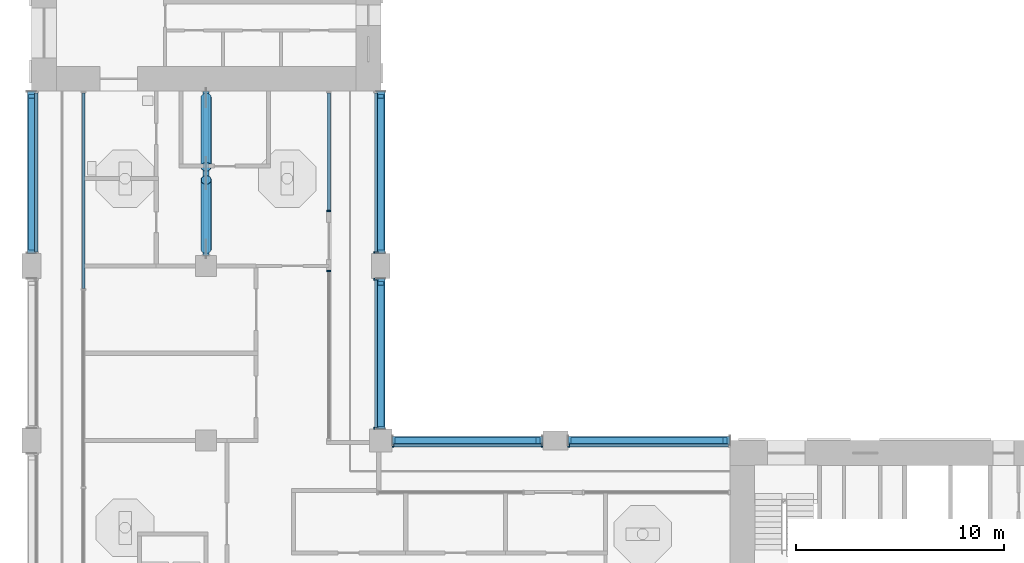
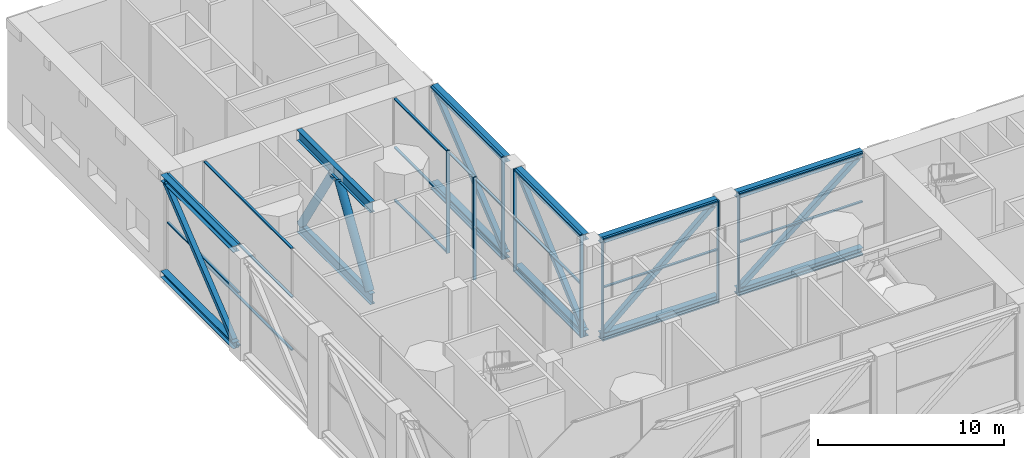
# One storey, part 3 of 20: 48 members, 8 elements without a shape of their own.
"""IFC4 building model written with IfcOpenShell, lengths in metres."""

from ifc_helpers import new_model, si_unit, direction, frame, origin, origin_2d, place, context, subcontext, project, spatial, rectangle, hollow_rectangle, hollow_circle, i_section, extrude, material, material_profile, profile_set, type_object, element, aggregate, save


model = new_model("IFC4")

# Units and contexts
model_context = context("Model", 3, precision=1e-05, world=origin(), true_north=direction((0.0, 1.0)))
body_context = subcontext(model_context, "Body", "Model", "MODEL_VIEW")
ifc_project = project(units=[si_unit("LENGTHUNIT", "METRE"), si_unit("AREAUNIT", "SQUARE_METRE"), si_unit("VOLUMEUNIT", "CUBIC_METRE"), si_unit("PLANEANGLEUNIT", "RADIAN"), si_unit("MASSUNIT", "GRAM", prefix="KILO")], contexts=[model_context])

# Site, building, storey
site_placement = place(None, origin())
site = spatial("IfcSite", under=ifc_project, at=site_placement, CompositionType="ELEMENT")
building_placement = place(site_placement, origin())
building = spatial("IfcBuilding", under=site, at=building_placement, Name="Vermilion Gate Residences", CompositionType="ELEMENT")
storey_placement = place(building_placement, frame((0.0, 0.0, 207.199951171875)))
storey = spatial("IfcBuildingStorey", under=building, at=storey_placement, Name="L54", CompositionType="ELEMENT", Elevation=207.199951171875)

# Curtain wall, member
ifc_material_1 = material(Name="Aluminium and glass", Category="aluminium")
curtain_wall_type = type_object("IfcCurtainWallType", Name="SKY GARDEN GLAZING CURTAIN WALL", PredefinedType="NOTDEFINED", material=ifc_material_1)
curtain_wall_1_placement = place(storey_placement, origin())
curtain_wall_1 = element("IfcCurtainWall", 1, at=curtain_wall_1_placement, inside=storey, type_object=curtain_wall_type, Name="Sky Garden Glazing 70", PredefinedType="NOTDEFINED")
ifc_material_2 = material(Name="Aluminium", Category="aluminium")
ifc_material_profile_1 = material_profile(ifc_material_2, rectangle(XDim=0.199951171875, YDim=0.080078125, at=origin_2d()), Name="MULLION 80 X 200")
ifc_profile_set_1 = profile_set([ifc_material_profile_1], Name="Aluminium")
member_type_1 = type_object("IfcMemberType", Name="SKY GARDEN GLAZING MULLION 80 X 200", PredefinedType="MULLION", material=ifc_profile_set_1)
member_1_placement = place(storey_placement, frame((22.699951171875, 33.360107421875, 0.0), z_axis=(0.0, 0.0, 1.0), x_axis=(-1.0, 0.0, 0.0)))
member_1 = element("IfcMember", 2, at=member_1_placement, type_object=member_type_1, Name="ECW3 mullion 2", PredefinedType="MULLION", context=body_context, shape_type="SweptSolid", body=[
    extrude(rectangle(XDim=0.199951171875, YDim=0.080078125, at=origin_2d()), origin(), (0.0, 0.0, 1.0), 6.719970703125),
])
aggregate(curtain_wall_1, [member_1])

curtain_wall_2_placement = place(storey_placement, origin())
curtain_wall_2 = element("IfcCurtainWall", 3, at=curtain_wall_2_placement, inside=storey, type_object=curtain_wall_type, Name="Sky Garden Glazing 72", PredefinedType="NOTDEFINED")
member_2_placement = place(storey_placement, frame((22.699951171875, 36.239990234375, 0.0), z_axis=(0.0, 0.0, 1.0), x_axis=(-1.0, 0.0, 0.0)))
member_2 = element("IfcMember", 4, at=member_2_placement, type_object=member_type_1, Name="ECW3 mullion 1", PredefinedType="MULLION", context=body_context, shape_type="SweptSolid", body=[
    extrude(rectangle(XDim=0.199951171875, YDim=0.080078125, at=origin_2d()), origin(), (0.0, 0.0, 1.0), 6.719970703125),
])

curtain_wall_3_placement = place(storey_placement, origin())
curtain_wall_3 = element("IfcCurtainWall", 5, at=curtain_wall_3_placement, inside=storey, type_object=curtain_wall_type, Name="Sky Garden Glazing 508", PredefinedType="NOTDEFINED")
member_3_placement = place(storey_placement, frame((34.239990234375, 24.969970703125, 0.0), z_axis=(0.0, 0.0, 1.0), x_axis=(0.0, -1.0, 0.0)))
member_3 = element("IfcMember", 6, at=member_3_placement, type_object=member_type_1, Name="ECW3 mullion 2", PredefinedType="MULLION", context=body_context, shape_type="SweptSolid", body=[
    extrude(rectangle(XDim=0.199951171875, YDim=0.080078125, at=origin_2d()), origin(), (0.0, 0.0, 1.0), 6.719970703125),
])

# Curtain wall, members
curtain_wall_4_placement = place(storey_placement, origin())
curtain_wall_4 = element("IfcCurtainWall", 7, at=curtain_wall_4_placement, inside=storey, type_object=curtain_wall_type, Name="Sky Garden Glazing 509", PredefinedType="NOTDEFINED")
member_4_placement = place(storey_placement, frame((32.9599609375, 24.969970703125, 0.0), z_axis=(0.0, 0.0, 1.0), x_axis=(0.0, -1.0, 0.0)))
member_4 = element("IfcMember", 8, at=member_4_placement, type_object=member_type_1, Name="ECW3 mullion 1", PredefinedType="MULLION", context=body_context, shape_type="SweptSolid", body=[
    extrude(rectangle(XDim=0.199951171875, YDim=0.080078125, at=origin_2d()), origin(), (0.0, 0.0, 1.0), 6.719970703125),
])
member_5_placement = place(storey_placement, frame((25.7900390625, 24.969970703125, 0.0), z_axis=(0.0, 0.0, 1.0), x_axis=(0.0, -1.0, 0.0)))
member_5 = element("IfcMember", 9, at=member_5_placement, type_object=member_type_1, Name="ECW3 mullion 2", PredefinedType="MULLION", context=body_context, shape_type="SweptSolid", body=[
    extrude(rectangle(XDim=0.199951171875, YDim=0.080078125, at=origin_2d()), origin(), (0.0, 0.0, 1.0), 6.719970703125),
])

curtain_wall_5_placement = place(storey_placement, origin())
curtain_wall_5 = element("IfcCurtainWall", 10, at=curtain_wall_5_placement, inside=storey, type_object=curtain_wall_type, Name="Sky Garden Glazing 510", PredefinedType="NOTDEFINED")
member_6_placement = place(storey_placement, frame((24.969970703125, 25.7900390625, 0.0), z_axis=(0.0, 0.0, 1.0), x_axis=(-1.0, 0.0, 0.0)))
member_6 = element("IfcMember", 11, at=member_6_placement, type_object=member_type_1, Name="ECW3 mullion 1", PredefinedType="MULLION", context=body_context, shape_type="SweptSolid", body=[
    extrude(rectangle(XDim=0.199951171875, YDim=0.080078125, at=origin_2d()), origin(), (0.0, 0.0, 1.0), 6.719970703125),
])
member_7_placement = place(storey_placement, frame((24.969970703125, 32.9599609375, 0.0), z_axis=(0.0, 0.0, 1.0), x_axis=(-1.0, 0.0, 0.0)))
member_7 = element("IfcMember", 12, at=member_7_placement, type_object=member_type_1, Name="ECW3 mullion 2", PredefinedType="MULLION", context=body_context, shape_type="SweptSolid", body=[
    extrude(rectangle(XDim=0.199951171875, YDim=0.080078125, at=origin_2d()), origin(), (0.0, 0.0, 1.0), 6.719970703125),
])

# Curtain wall, member
curtain_wall_6_placement = place(storey_placement, origin())
curtain_wall_6 = element("IfcCurtainWall", 13, at=curtain_wall_6_placement, inside=storey, type_object=curtain_wall_type, Name="Sky Garden Glazing 511", PredefinedType="NOTDEFINED")
member_8_placement = place(storey_placement, frame((24.969970703125, 34.239990234375, 0.0), z_axis=(0.0, 0.0, 1.0), x_axis=(-1.0, 0.0, 0.0)))
member_8 = element("IfcMember", 14, at=member_8_placement, type_object=member_type_1, Name="ECW3 mullion 1", PredefinedType="MULLION", context=body_context, shape_type="SweptSolid", body=[
    extrude(rectangle(XDim=0.199951171875, YDim=0.080078125, at=origin_2d()), origin(), (0.0, 0.0, 1.0), 6.719970703125),
])

# Curtain wall, members
curtain_wall_7_placement = place(storey_placement, origin())
curtain_wall_7 = element("IfcCurtainWall", 15, at=curtain_wall_7_placement, inside=storey, type_object=curtain_wall_type, Name="Sky Garden Glazing 0", PredefinedType="NOTDEFINED")
ifc_material_3 = material(Name="Aluminium", Category="aluminium")
ifc_material_profile_2 = material_profile(ifc_material_3, rectangle(XDim=0.14990234375, YDim=0.080078125, at=origin_2d()), Name="TRANSOM 80 X 150")
ifc_profile_set_2 = profile_set([ifc_material_profile_2], Name="Aluminium")
member_type_2 = type_object("IfcMemberType", Name="SKY GARDEN GLAZING TRANSOM 80 X 150", PredefinedType="MULLION", material=ifc_profile_set_2)
member_9_placement = place(storey_placement, frame((10.89990234375, 41.919921875, 0.0400390625), z_axis=(0.0, -1.0, 0.0), x_axis=(1.0, 0.0, 0.0)))
member_9 = element("IfcMember", 16, at=member_9_placement, type_object=member_type_2, Name="ECW3 transom 1.1", PredefinedType="MULLION", context=body_context, shape_type="SweptSolid", body=[
    extrude(rectangle(XDim=0.14990234375, YDim=0.080078125, at=origin_2d()), origin(), (0.0, 0.0, 1.0), 9.413330078125),
])
member_10_placement = place(storey_placement, frame((10.89990234375, 41.919921875, 3.5), z_axis=(0.0, -1.0, 0.0), x_axis=(1.0, 0.0, 0.0)))
member_10 = element("IfcMember", 17, at=member_10_placement, type_object=member_type_2, Name="ECW3 transom 1.2", PredefinedType="MULLION", context=body_context, shape_type="SweptSolid", body=[
    extrude(rectangle(XDim=0.14990234375, YDim=0.080078125, at=origin_2d()), origin(), (0.0, 0.0, 1.0), 9.413330078125),
])
member_11_placement = place(storey_placement, frame((10.89990234375, 41.919921875, 6.679931640625), z_axis=(0.0, -1.0, 0.0), x_axis=(1.0, 0.0, 0.0)))
member_11 = element("IfcMember", 18, at=member_11_placement, type_object=member_type_2, Name="ECW3 transom 1.3", PredefinedType="MULLION", context=body_context, shape_type="SweptSolid", body=[
    extrude(rectangle(XDim=0.14990234375, YDim=0.080078125, at=origin_2d()), origin(), (0.0, 0.0, 1.0), 9.413330078125),
])
aggregate(curtain_wall_7, [member_9, member_10, member_11])

# Member
member_12_placement = place(storey_placement, frame((22.699951171875, 36.280029296875, 0.0400390625), z_axis=(0.0, 1.0, 0.0), x_axis=(-1.0, 0.0, 0.0)))
member_12 = element("IfcMember", 19, at=member_12_placement, type_object=member_type_2, Name="ECW3 transom 1.1", PredefinedType="MULLION", context=body_context, shape_type="SweptSolid", body=[
    extrude(rectangle(XDim=0.14990234375, YDim=0.080078125, at=origin_2d()), origin(), (0.0, 0.0, 1.0), 5.639892578125),
])

member_13_placement = place(storey_placement, frame((22.699951171875, 36.280029296875, 3.5), z_axis=(0.0, 1.0, 0.0), x_axis=(-1.0, 0.0, 0.0)))
member_13 = element("IfcMember", 20, at=member_13_placement, type_object=member_type_2, Name="ECW3 transom 1.2", PredefinedType="MULLION", context=body_context, shape_type="SweptSolid", body=[
    extrude(rectangle(XDim=0.14990234375, YDim=0.080078125, at=origin_2d()), origin(), (0.0, 0.0, 1.0), 5.639892578125),
])

member_14_placement = place(storey_placement, frame((22.699951171875, 36.280029296875, 6.679931640625), z_axis=(0.0, 1.0, 0.0), x_axis=(-1.0, 0.0, 0.0)))
member_14 = element("IfcMember", 21, at=member_14_placement, type_object=member_type_2, Name="ECW3 transom 1.3", PredefinedType="MULLION", context=body_context, shape_type="SweptSolid", body=[
    extrude(rectangle(XDim=0.14990234375, YDim=0.080078125, at=origin_2d()), origin(), (0.0, 0.0, 1.0), 5.639892578125),
])

aggregate(curtain_wall_2, [member_2, member_12, member_13, member_14])

# Curtain wall, members
curtain_wall_8_placement = place(storey_placement, origin())
curtain_wall_8 = element("IfcCurtainWall", 22, at=curtain_wall_8_placement, inside=storey, type_object=curtain_wall_type, Name="Sky Garden Glazing 500", PredefinedType="NOTDEFINED")
member_15_placement = place(storey_placement, frame((8.6298828125, 41.919921875, 0.0400390625), z_axis=(0.0, -1.0, 0.0), x_axis=(1.0, 0.0, 0.0)))
member_15 = element("IfcMember", 23, at=member_15_placement, type_object=member_type_2, Name="ECW3 transom 1.1", PredefinedType="MULLION", context=body_context, shape_type="SweptSolid", body=[
    extrude(rectangle(XDim=0.14990234375, YDim=0.080078125, at=origin_2d()), origin(), (0.0, 0.0, 1.0), 7.639892578125),
])
member_16_placement = place(storey_placement, frame((8.6298828125, 41.919921875, 3.5), z_axis=(0.0, -1.0, 0.0), x_axis=(1.0, 0.0, 0.0)))
member_16 = element("IfcMember", 24, at=member_16_placement, type_object=member_type_2, Name="ECW3 transom 1.2", PredefinedType="MULLION", context=body_context, shape_type="SweptSolid", body=[
    extrude(rectangle(XDim=0.14990234375, YDim=0.080078125, at=origin_2d()), origin(), (0.0, 0.0, 1.0), 7.639892578125),
])
member_17_placement = place(storey_placement, frame((8.6298828125, 41.919921875, 6.679931640625), z_axis=(0.0, -1.0, 0.0), x_axis=(1.0, 0.0, 0.0)))
member_17 = element("IfcMember", 25, at=member_17_placement, type_object=member_type_2, Name="ECW3 transom 1.3", PredefinedType="MULLION", context=body_context, shape_type="SweptSolid", body=[
    extrude(rectangle(XDim=0.14990234375, YDim=0.080078125, at=origin_2d()), origin(), (0.0, 0.0, 1.0), 7.639892578125),
])
aggregate(curtain_wall_8, [member_15, member_16, member_17])

# Member
member_18_placement = place(storey_placement, frame((41.919921875, 24.969970703125, 0.0400390625), z_axis=(-1.0, 0.0, 0.0), x_axis=(0.0, -1.0, 0.0)))
member_18 = element("IfcMember", 26, at=member_18_placement, type_object=member_type_2, Name="ECW3 transom 1.1", PredefinedType="MULLION", context=body_context, shape_type="SweptSolid", body=[
    extrude(rectangle(XDim=0.14990234375, YDim=0.080078125, at=origin_2d()), origin(), (0.0, 0.0, 1.0), 7.639892578125),
])

member_19_placement = place(storey_placement, frame((41.919921875, 24.969970703125, 3.5), z_axis=(-1.0, 0.0, 0.0), x_axis=(0.0, -1.0, 0.0)))
member_19 = element("IfcMember", 27, at=member_19_placement, type_object=member_type_2, Name="ECW3 transom 1.2", PredefinedType="MULLION", context=body_context, shape_type="SweptSolid", body=[
    extrude(rectangle(XDim=0.14990234375, YDim=0.080078125, at=origin_2d()), origin(), (0.0, 0.0, 1.0), 7.639892578125),
])

member_20_placement = place(storey_placement, frame((41.919921875, 24.969970703125, 6.679931640625), z_axis=(-1.0, 0.0, 0.0), x_axis=(0.0, -1.0, 0.0)))
member_20 = element("IfcMember", 28, at=member_20_placement, type_object=member_type_2, Name="ECW3 transom 1.3", PredefinedType="MULLION", context=body_context, shape_type="SweptSolid", body=[
    extrude(rectangle(XDim=0.14990234375, YDim=0.080078125, at=origin_2d()), origin(), (0.0, 0.0, 1.0), 7.639892578125),
])

aggregate(curtain_wall_3, [member_3, member_18, member_19, member_20])

member_21_placement = place(storey_placement, frame((32.919921875, 24.969970703125, 0.0400390625), z_axis=(-1.0, 0.0, 0.0), x_axis=(0.0, -1.0, 0.0)))
member_21 = element("IfcMember", 29, at=member_21_placement, type_object=member_type_2, Name="ECW3 transom 1.1", PredefinedType="MULLION", context=body_context, shape_type="SweptSolid", body=[
    extrude(rectangle(XDim=0.14990234375, YDim=0.080078125, at=origin_2d()), origin(), (0.0, 0.0, 1.0), 7.08984375),
])

member_22_placement = place(storey_placement, frame((32.919921875, 24.969970703125, 3.5), z_axis=(-1.0, 0.0, 0.0), x_axis=(0.0, -1.0, 0.0)))
member_22 = element("IfcMember", 30, at=member_22_placement, type_object=member_type_2, Name="ECW3 transom 1.2", PredefinedType="MULLION", context=body_context, shape_type="SweptSolid", body=[
    extrude(rectangle(XDim=0.14990234375, YDim=0.080078125, at=origin_2d()), origin(), (0.0, 0.0, 1.0), 7.08984375),
])

member_23_placement = place(storey_placement, frame((32.919921875, 24.969970703125, 6.679931640625), z_axis=(-1.0, 0.0, 0.0), x_axis=(0.0, -1.0, 0.0)))
member_23 = element("IfcMember", 31, at=member_23_placement, type_object=member_type_2, Name="ECW3 transom 1.3", PredefinedType="MULLION", context=body_context, shape_type="SweptSolid", body=[
    extrude(rectangle(XDim=0.14990234375, YDim=0.080078125, at=origin_2d()), origin(), (0.0, 0.0, 1.0), 7.08984375),
])

aggregate(curtain_wall_4, [member_4, member_5, member_21, member_22, member_23])

member_24_placement = place(storey_placement, frame((24.969970703125, 25.830078125, 0.0400390625), z_axis=(0.0, 1.0, 0.0), x_axis=(-1.0, 0.0, 0.0)))
member_24 = element("IfcMember", 32, at=member_24_placement, type_object=member_type_2, Name="ECW3 transom 1.1", PredefinedType="MULLION", context=body_context, shape_type="SweptSolid", body=[
    extrude(rectangle(XDim=0.14990234375, YDim=0.080078125, at=origin_2d()), origin(), (0.0, 0.0, 1.0), 7.08984375),
])

member_25_placement = place(storey_placement, frame((24.969970703125, 25.830078125, 3.5), z_axis=(0.0, 1.0, 0.0), x_axis=(-1.0, 0.0, 0.0)))
member_25 = element("IfcMember", 33, at=member_25_placement, type_object=member_type_2, Name="ECW3 transom 1.2", PredefinedType="MULLION", context=body_context, shape_type="SweptSolid", body=[
    extrude(rectangle(XDim=0.14990234375, YDim=0.080078125, at=origin_2d()), origin(), (0.0, 0.0, 1.0), 7.08984375),
])

member_26_placement = place(storey_placement, frame((24.969970703125, 25.830078125, 6.679931640625), z_axis=(0.0, 1.0, 0.0), x_axis=(-1.0, 0.0, 0.0)))
member_26 = element("IfcMember", 34, at=member_26_placement, type_object=member_type_2, Name="ECW3 transom 1.3", PredefinedType="MULLION", context=body_context, shape_type="SweptSolid", body=[
    extrude(rectangle(XDim=0.14990234375, YDim=0.080078125, at=origin_2d()), origin(), (0.0, 0.0, 1.0), 7.08984375),
])

aggregate(curtain_wall_5, [member_6, member_7, member_24, member_25, member_26])

member_27_placement = place(storey_placement, frame((24.969970703125, 34.280029296875, 0.0400390625), z_axis=(0.0, 1.0, 0.0), x_axis=(-1.0, 0.0, 0.0)))
member_27 = element("IfcMember", 35, at=member_27_placement, type_object=member_type_2, Name="ECW3 transom 1.1", PredefinedType="MULLION", context=body_context, shape_type="SweptSolid", body=[
    extrude(rectangle(XDim=0.14990234375, YDim=0.080078125, at=origin_2d()), origin(), (0.0, 0.0, 1.0), 7.639892578125),
])

member_28_placement = place(storey_placement, frame((24.969970703125, 34.280029296875, 3.5), z_axis=(0.0, 1.0, 0.0), x_axis=(-1.0, 0.0, 0.0)))
member_28 = element("IfcMember", 36, at=member_28_placement, type_object=member_type_2, Name="ECW3 transom 1.2", PredefinedType="MULLION", context=body_context, shape_type="SweptSolid", body=[
    extrude(rectangle(XDim=0.14990234375, YDim=0.080078125, at=origin_2d()), origin(), (0.0, 0.0, 1.0), 7.639892578125),
])

member_29_placement = place(storey_placement, frame((24.969970703125, 34.280029296875, 6.679931640625), z_axis=(0.0, 1.0, 0.0), x_axis=(-1.0, 0.0, 0.0)))
member_29 = element("IfcMember", 37, at=member_29_placement, type_object=member_type_2, Name="ECW3 transom 1.3", PredefinedType="MULLION", context=body_context, shape_type="SweptSolid", body=[
    extrude(rectangle(XDim=0.14990234375, YDim=0.080078125, at=origin_2d()), origin(), (0.0, 0.0, 1.0), 7.639892578125),
])

aggregate(curtain_wall_6, [member_8, member_27, member_28, member_29])

# Members
ifc_material_4 = material(Name="Steel SM490", Category="steel")
ifc_material_profile_3 = material_profile(ifc_material_4, i_section(OverallWidth=0.39990234375, OverallDepth=0.39990234375, WebThickness=0.012939453125, FlangeThickness=0.02099609375, at=origin_2d()), Name="H-400x400x13x21")
ifc_profile_set_3 = profile_set([ifc_material_profile_3], Name="Steel SM490")
member_type_3 = type_object("IfcMemberType", Name="STEEL BELT TRUSS CHORD H-400x400x13x21 SM490", PredefinedType="CHORD", material=ifc_profile_set_3)
for number, where, z_axis, x_axis, name in (
    (38, (8.39990234375, 34.199951171875, 0.199951171875), (0.0, 1.0, 0.0), (-1.0, 0.0, 0.0), "Belt Truss chord bot L54 BELT41"),
    (39, (8.39990234375, 34.199951171875, 6.52001953125), (0.0, 1.0, 0.0), (-1.0, 0.0, 0.0), "Belt Truss chord top L54 BELT41"),
):
    element("IfcMember", number, at=place(storey_placement, frame(where, z_axis=z_axis, x_axis=x_axis)), inside=storey, type_object=member_type_3, Name=name, PredefinedType="CHORD", context=body_context, shape_type="SweptSolid", body=[
        extrude(i_section(OverallWidth=0.39990234375, OverallDepth=0.39990234375, WebThickness=0.012939453125, FlangeThickness=0.02099609375, at=origin_2d()), origin(), (0.0, 0.0, 1.0), 7.800048828125),
    ])
for number, where, z_axis, x_axis, name in (
    (40, (25.199951171875, 25.75, 0.199951171875), (0.0, 1.0, 0.0), (-1.0, 0.0, 0.0), "Belt Truss chord bot L54 BELT43"),
    (41, (25.199951171875, 25.75, 6.52001953125), (0.0, 1.0, 0.0), (-1.0, 0.0, 0.0), "Belt Truss chord top L54 BELT43"),
):
    element("IfcMember", number, at=place(storey_placement, frame(where, z_axis=z_axis, x_axis=x_axis)), inside=storey, type_object=member_type_3, Name=name, PredefinedType="CHORD", context=body_context, shape_type="SweptSolid", body=[
        extrude(i_section(OverallWidth=0.39990234375, OverallDepth=0.39990234375, WebThickness=0.012939453125, FlangeThickness=0.02099609375, at=origin_2d()), origin(), (0.0, 0.0, 1.0), 7.25),
    ])
for number, where, z_axis, x_axis, name in (
    (42, (25.199951171875, 34.199951171875, 0.199951171875), (0.0, 1.0, 0.0), (-1.0, 0.0, 0.0), "Belt Truss chord bot L54 BELT44"),
    (43, (25.199951171875, 34.199951171875, 6.52001953125), (0.0, 1.0, 0.0), (-1.0, 0.0, 0.0), "Belt Truss chord top L54 BELT44"),
):
    element("IfcMember", number, at=place(storey_placement, frame(where, z_axis=z_axis, x_axis=x_axis)), inside=storey, type_object=member_type_3, Name=name, PredefinedType="CHORD", context=body_context, shape_type="SweptSolid", body=[
        extrude(i_section(OverallWidth=0.39990234375, OverallDepth=0.39990234375, WebThickness=0.012939453125, FlangeThickness=0.02099609375, at=origin_2d()), origin(), (0.0, 0.0, 1.0), 7.800048828125),
    ])
for number, where, z_axis, x_axis, name in (
    (44, (25.75, 25.199951171875, 0.199951171875), (1.0, 0.0, 0.0), (0.0, 1.0, 0.0), "Belt Truss chord bot L54 BELT46"),
    (45, (25.75, 25.199951171875, 6.52001953125), (1.0, 0.0, 0.0), (0.0, 1.0, 0.0), "Belt Truss chord top L54 BELT46"),
):
    element("IfcMember", number, at=place(storey_placement, frame(where, z_axis=z_axis, x_axis=x_axis)), inside=storey, type_object=member_type_3, Name=name, PredefinedType="CHORD", context=body_context, shape_type="SweptSolid", body=[
        extrude(i_section(OverallWidth=0.39990234375, OverallDepth=0.39990234375, WebThickness=0.012939453125, FlangeThickness=0.02099609375, at=origin_2d()), origin(), (0.0, 0.0, 1.0), 7.25),
    ])
for number, where, z_axis, x_axis, name in (
    (46, (34.199951171875, 25.199951171875, 0.199951171875), (1.0, 0.0, 0.0), (0.0, 1.0, 0.0), "Belt Truss chord bot L54 BELT48"),
    (47, (34.199951171875, 25.199951171875, 6.52001953125), (1.0, 0.0, 0.0), (0.0, 1.0, 0.0), "Belt Truss chord top L54 BELT48"),
):
    element("IfcMember", number, at=place(storey_placement, frame(where, z_axis=z_axis, x_axis=x_axis)), inside=storey, type_object=member_type_3, Name=name, PredefinedType="CHORD", context=body_context, shape_type="SweptSolid", body=[
        extrude(i_section(OverallWidth=0.39990234375, OverallDepth=0.39990234375, WebThickness=0.012939453125, FlangeThickness=0.02099609375, at=origin_2d()), origin(), (0.0, 0.0, 1.0), 7.800048828125),
    ])
ifc_material_5 = material(Name="Steel SM490", Category="steel")
ifc_material_profile_4 = material_profile(ifc_material_5, hollow_rectangle(XDim=0.300048828125, YDim=0.300048828125, WallThickness=0.011962890625, at=origin_2d()), Name="BOX-300x300x12")
ifc_profile_set_4 = profile_set([ifc_material_profile_4], Name="Steel SM490")
member_type_4 = type_object("IfcMemberType", Name="STEEL BELT TRUSS DIAGONAL BOX-300x300x12 SM490", PredefinedType="BRACE", material=ifc_profile_set_4)
member_30_placement = place(storey_placement, frame((8.39990234375, 34.447998046875, 0.400146484375), z_axis=(0.0, 0.776870409527, 0.629660517105), x_axis=(-1.0, 0.0, 0.0)))
element("IfcMember", 48, at=member_30_placement, inside=storey, type_object=member_type_4, Name="Belt Truss diagonal L54 BELT41-1", PredefinedType="BRACE", context=body_context, shape_type="SweptSolid", body=[
    extrude(hollow_rectangle(XDim=0.300048828125, YDim=0.300048828125, WallThickness=0.011962890625, at=origin_2d()), origin(), (0.0, 0.0, 1.0), 9.40185546875),
])
member_31_placement = place(storey_placement, frame((25.199951171875, 25.987060546875, 0.400146484375), z_axis=(0.0, 0.753070653579, 0.657939655833), x_axis=(-1.0, 0.0, 0.0)))
element("IfcMember", 49, at=member_31_placement, inside=storey, type_object=member_type_4, Name="Belt Truss diagonal L54 BELT43-1", PredefinedType="BRACE", context=body_context, shape_type="SweptSolid", body=[
    extrude(hollow_rectangle(XDim=0.300048828125, YDim=0.300048828125, WallThickness=0.011962890625, at=origin_2d()), origin(), (0.0, 0.0, 1.0), 8.99755859375),
])
member_32_placement = place(storey_placement, frame((25.199951171875, 34.447998046875, 0.400146484375), z_axis=(0.0, 0.776870409527, 0.629660517105), x_axis=(-1.0, 0.0, 0.0)))
element("IfcMember", 50, at=member_32_placement, inside=storey, type_object=member_type_4, Name="Belt Truss diagonal L54 BELT44-1", PredefinedType="BRACE", context=body_context, shape_type="SweptSolid", body=[
    extrude(hollow_rectangle(XDim=0.300048828125, YDim=0.300048828125, WallThickness=0.011962890625, at=origin_2d()), origin(), (0.0, 0.0, 1.0), 9.40185546875),
])
member_33_placement = place(storey_placement, frame((25.987060546875, 25.199951171875, 0.400146484375), z_axis=(0.753070653579, 0.0, 0.657939655833), x_axis=(0.0, 1.0, 0.0)))
element("IfcMember", 51, at=member_33_placement, inside=storey, type_object=member_type_4, Name="Belt Truss diagonal L54 BELT46-1", PredefinedType="BRACE", context=body_context, shape_type="SweptSolid", body=[
    extrude(hollow_rectangle(XDim=0.300048828125, YDim=0.300048828125, WallThickness=0.011962890625, at=origin_2d()), origin(), (0.0, 0.0, 1.0), 8.99755859375),
])
member_34_placement = place(storey_placement, frame((34.447998046875, 25.199951171875, 0.400146484375), z_axis=(0.776870409527, 0.0, 0.629660517105), x_axis=(0.0, 1.0, 0.0)))
element("IfcMember", 52, at=member_34_placement, inside=storey, type_object=member_type_4, Name="Belt Truss diagonal L54 BELT48-1", PredefinedType="BRACE", context=body_context, shape_type="SweptSolid", body=[
    extrude(hollow_rectangle(XDim=0.300048828125, YDim=0.300048828125, WallThickness=0.011962890625, at=origin_2d()), origin(), (0.0, 0.0, 1.0), 9.40185546875),
])
ifc_material_6 = material(Name="Steel SM490", Category="steel")
ifc_material_profile_5 = material_profile(ifc_material_6, i_section(OverallWidth=0.300048828125, OverallDepth=0.699951171875, WebThickness=0.012939453125, FlangeThickness=0.02392578125, at=origin_2d()), Name="H-700x300x13x24")
ifc_profile_set_5 = profile_set([ifc_material_profile_5], Name="Steel SM490")
member_type_5 = type_object("IfcMemberType", Name="STEEL OUTRIGGER TRUSS CHORD H-700x300x13x24 SM490", PredefinedType="CHORD", material=ifc_profile_set_5)
for number, where, z_axis, x_axis, name in (
    (53, (16.800048828125, 42.0, 0.35009765625), (0.0, -1.0, 0.0), (1.0, 0.0, 0.0), "Outrigger Truss chord bot L54 OUT9"),
    (54, (16.800048828125, 42.0, 6.3701171875), (0.0, -1.0, 0.0), (1.0, 0.0, 0.0), "Outrigger Truss chord top L54 OUT9"),
):
    element("IfcMember", number, at=place(storey_placement, frame(where, z_axis=z_axis, x_axis=x_axis)), inside=storey, type_object=member_type_5, Name=name, PredefinedType="CHORD", context=body_context, shape_type="SweptSolid", body=[
        extrude(i_section(OverallWidth=0.300048828125, OverallDepth=0.699951171875, WebThickness=0.012939453125, FlangeThickness=0.02392578125, at=origin_2d()), origin(), (0.0, 0.0, 1.0), 7.89990234375),
    ])
ifc_material_7 = material(Name="Steel SM490", Category="steel")
ifc_material_profile_6 = material_profile(ifc_material_7, hollow_circle(Radius=0.25390625, WallThickness=0.01611328125, at=origin_2d()), Name="CHS-508x16")
ifc_profile_set_6 = profile_set([ifc_material_profile_6], Name="Steel SM490")
member_type_6 = type_object("IfcMemberType", Name="STEEL OUTRIGGER TRUSS DIAGONAL CHS-508x16 SM490", PredefinedType="BRACE", material=ifc_profile_set_6)
for number, where, z_axis, x_axis, name in (
    (55, (16.800048828125, 41.68359375, 0.699951171875), (0.0, -0.529092054463, 0.848564433561), (1.0, 0.0, 0.0), "Outrigger Truss diagonal L54 OUT9-1"),
    (56, (16.800048828125, 37.733642578125, 6.02001953125), (0.0, -0.529120093551, -0.848546950145), (1.0, 0.0, 0.0), "Outrigger Truss diagonal L54 OUT9-2"),
):
    element("IfcMember", number, at=place(storey_placement, frame(where, z_axis=z_axis, x_axis=x_axis)), inside=storey, type_object=member_type_6, Name=name, PredefinedType="BRACE", context=body_context, shape_type="SweptSolid", body=[
        extrude(hollow_circle(Radius=0.25390625, WallThickness=0.01611328125, at=origin_2d()), origin(), (0.0, 0.0, 1.0), 6.26953125),
    ])

save(model, "model.ifc")
